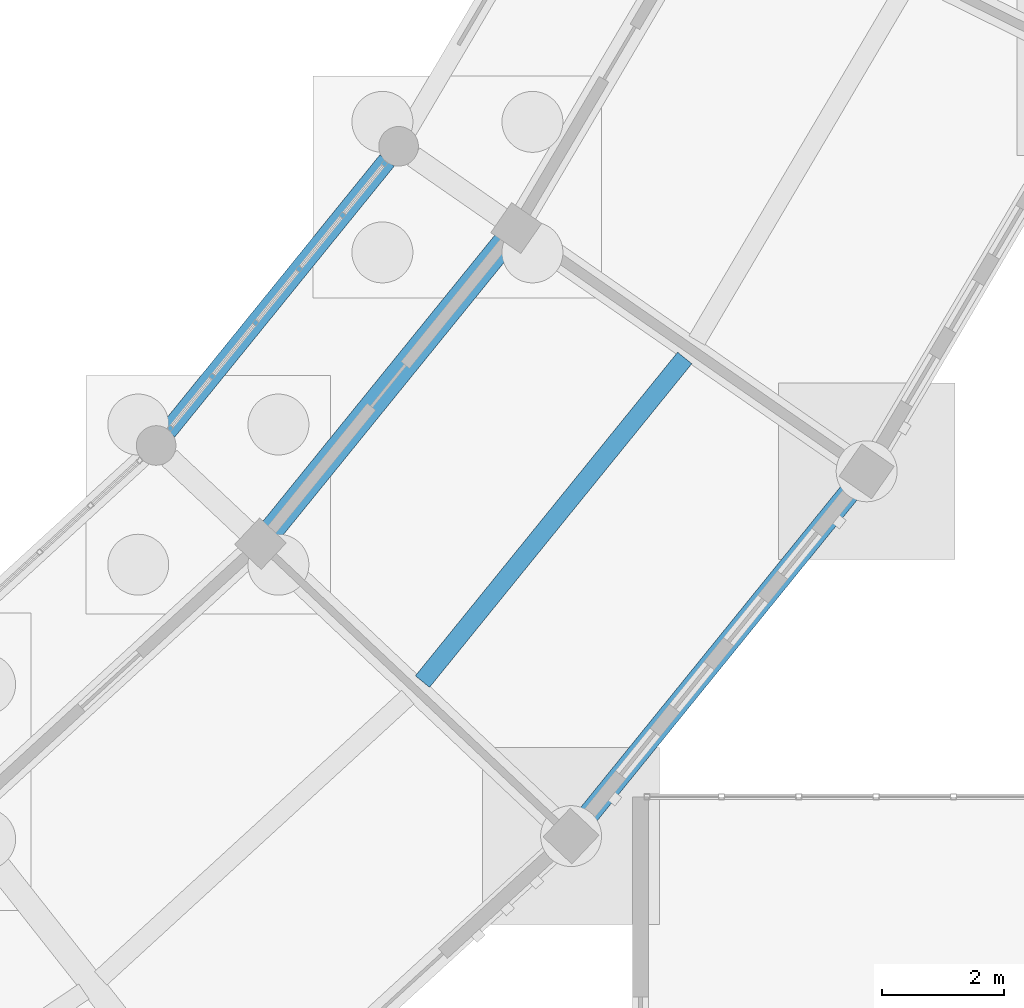
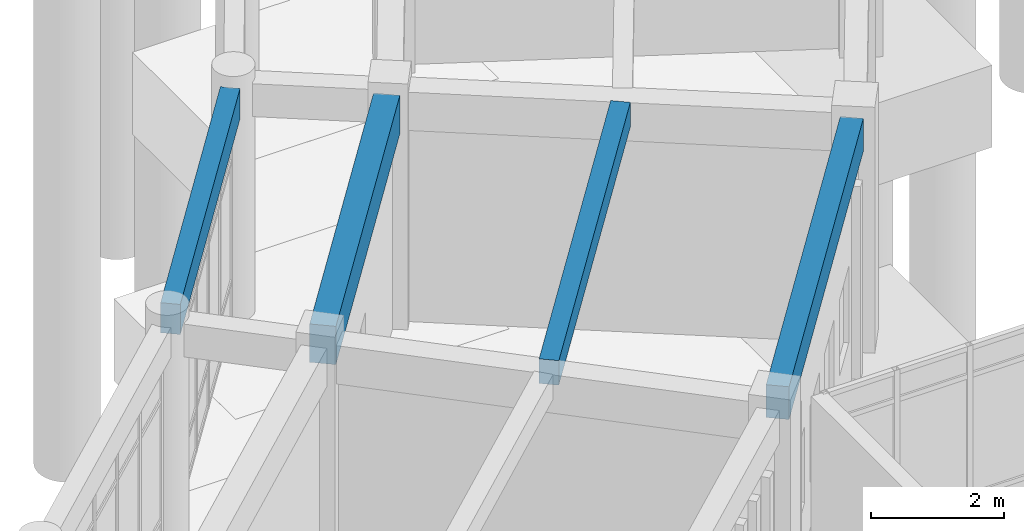
# One storey, part 51 of 153: 4 beams.
"""IFC4 building model written with IfcOpenShell, lengths in metres."""

from ifc_helpers import new_model, si_unit, direction, frame, origin, origin_2d, place, context, subcontext, project, spatial, rectangle, extrude, material, material_profile, profile_set, type_object, element, save


model = new_model("IFC4")

# Units and contexts
model_context = context("Model", 3, precision=1e-05, world=origin(), true_north=direction((0.0, 1.0)))
body_context = subcontext(model_context, "Body", "Model", "MODEL_VIEW")
ifc_project = project(units=[si_unit("LENGTHUNIT", "METRE"), si_unit("AREAUNIT", "SQUARE_METRE"), si_unit("VOLUMEUNIT", "CUBIC_METRE"), si_unit("PLANEANGLEUNIT", "RADIAN"), si_unit("MASSUNIT", "GRAM", prefix="KILO")], contexts=[model_context])

# Site, building, storey
site_placement = place(None, origin())
site = spatial("IfcSite", under=ifc_project, at=site_placement, CompositionType="ELEMENT")
building_placement = place(site_placement, origin())
building = spatial("IfcBuilding", under=site, at=building_placement, Name="Celadon Cloister-Ring School", CompositionType="ELEMENT")
storey_placement = place(building_placement, origin())
storey = spatial("IfcBuildingStorey", under=building, at=storey_placement, Name="L00", CompositionType="ELEMENT", Elevation=0.0)

# Beams
ifc_material_1 = material(Name="Concrete C35/45", Category="concrete")
ifc_material_profile_1 = material_profile(ifc_material_1, rectangle(XDim=0.39990234375, YDim=0.699951171875, at=origin_2d()), Name="RC400X700")
ifc_profile_set_1 = profile_set([ifc_material_profile_1], Name="Concrete C35/45")
beam_type_1 = type_object("IfcBeamType", Name="GT-03", PredefinedType="USERDEFINED", material=ifc_profile_set_1)
beam_1_placement = place(storey_placement, frame((119.93798828125, 28.367919921875, 3.929931640625), z_axis=(0.629696496522, 0.776841246502, 0.0), x_axis=(-0.776841246502, 0.629696496522, 0.0)))
element("IfcBeam", 1, at=beam_1_placement, inside=storey, type_object=beam_type_1, Name="Beam 0154", ObjectType="GIRDER", PredefinedType="USERDEFINED", context=body_context, shape_type="SweptSolid", body=[
    extrude(rectangle(XDim=0.39990234375, YDim=0.699951171875, at=origin_2d()), origin(), (0.0, 0.0, 1.0), 6.11572265625),
])
ifc_material_2 = material(Name="Concrete C35/45", Category="concrete")
ifc_material_profile_2 = material_profile(ifc_material_2, rectangle(XDim=0.300048828125, YDim=0.449951171875, at=origin_2d()), Name="RC300X450")
ifc_profile_set_2 = profile_set([ifc_material_profile_2], Name="Concrete C35/45")
beam_type_2 = type_object("IfcBeamType", Name="JT-01", PredefinedType="JOIST", material=ifc_profile_set_2)
beam_2_placement = place(storey_placement, frame((122.423095703125, 25.89111328125, 4.054931640625), z_axis=(0.629687207375, 0.776848776062, 0.0), x_axis=(-0.776848776062, 0.629687207375, 0.0)))
element("IfcBeam", 2, at=beam_2_placement, inside=storey, type_object=beam_type_2, Name="Beam 0156", PredefinedType="JOIST", context=body_context, shape_type="SweptSolid", body=[
    extrude(rectangle(XDim=0.300048828125, YDim=0.449951171875, at=origin_2d()), origin(), (0.0, 0.0, 1.0), 6.8349609375),
])
ifc_material_3 = material(Name="Concrete C35/45", Category="concrete")
ifc_material_profile_3 = material_profile(ifc_material_3, rectangle(XDim=0.35009765625, YDim=0.60009765625, at=origin_2d()), Name="RC350X600")
ifc_profile_set_3 = profile_set([ifc_material_profile_3], Name="Concrete C35/45")
beam_type_3 = type_object("IfcBeamType", Name="SP-01", PredefinedType="SPANDREL", material=ifc_profile_set_3)
beam_3_placement = place(storey_placement, frame((125.051025390625, 23.589111328125, 3.97998046875), z_axis=(0.629565970538, 0.776947030846, 0.0), x_axis=(-0.776947030846, 0.629565970538, 0.0)))
element("IfcBeam", 3, at=beam_3_placement, inside=storey, type_object=beam_type_3, Name="Beam 0153", PredefinedType="SPANDREL", context=body_context, shape_type="SweptSolid", body=[
    extrude(rectangle(XDim=0.35009765625, YDim=0.60009765625, at=origin_2d()), origin(), (0.0, 0.0, 1.0), 7.103271484375),
])
ifc_material_4 = material(Name="Concrete C35/45", Category="concrete")
ifc_material_profile_4 = material_profile(ifc_material_4, rectangle(XDim=0.300048828125, YDim=0.550048828125, at=origin_2d()), Name="RC300X550")
ifc_profile_set_4 = profile_set([ifc_material_profile_4], Name="Concrete C35/45")
beam_type_4 = type_object("IfcBeamType", Name="SP-02", PredefinedType="SPANDREL", material=ifc_profile_set_4)
beam_4_placement = place(storey_placement, frame((118.242919921875, 29.998046875, 4.0048828125), z_axis=(0.629566613558, 0.776946509802, 0.0), x_axis=(-0.776946509802, 0.629566613558, 0.0)))
element("IfcBeam", 4, at=beam_4_placement, inside=storey, type_object=beam_type_4, Name="Beam 0155", PredefinedType="SPANDREL", context=body_context, shape_type="SweptSolid", body=[
    extrude(rectangle(XDim=0.300048828125, YDim=0.550048828125, at=origin_2d()), origin(), (0.0, 0.0, 1.0), 5.71826171875),
])

save(model, "model.ifc")
